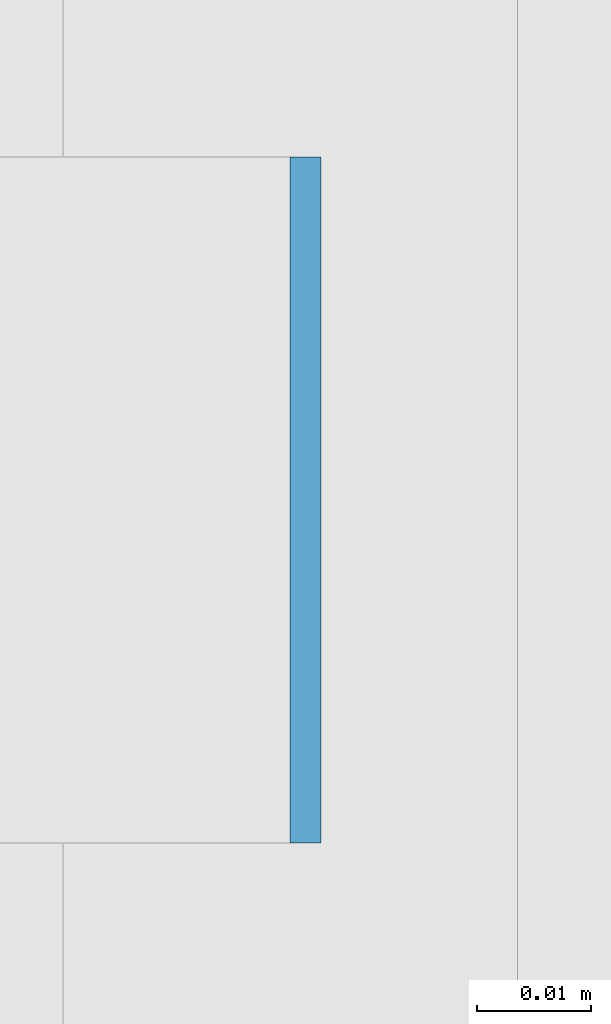
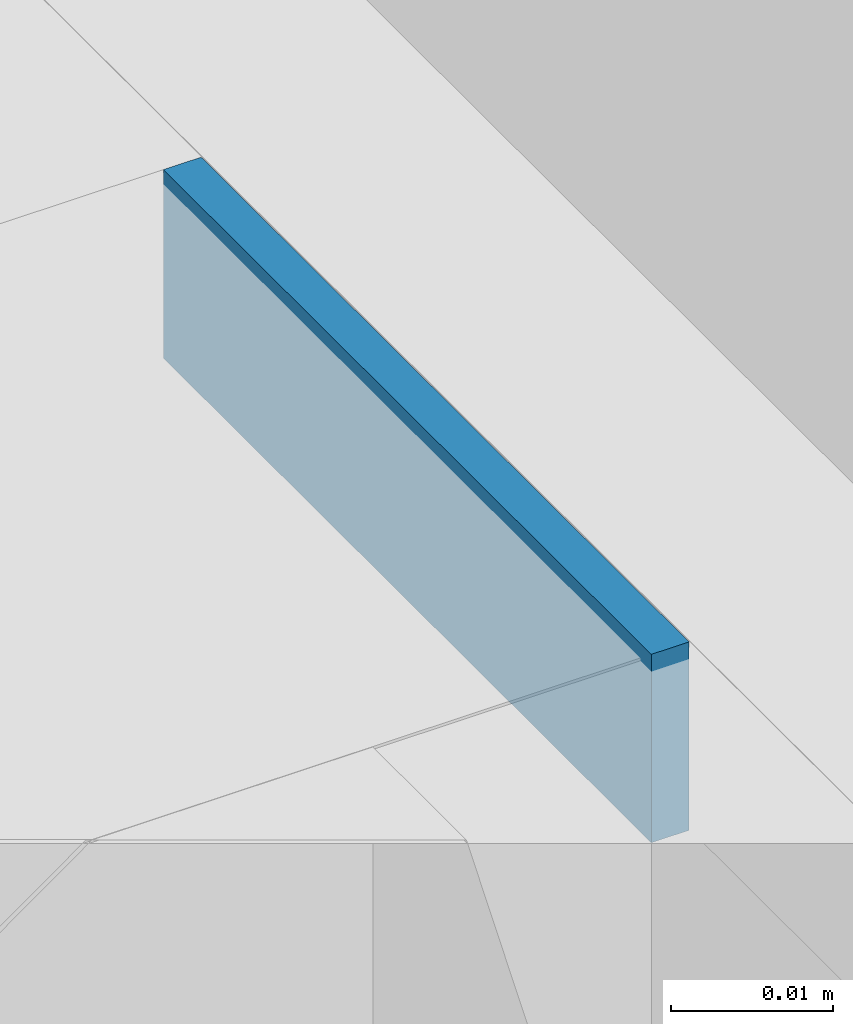
# One storey, part 245 of 646: 1 discrete accessory.
"""IFC4 building model written with IfcOpenShell, lengths in metres."""

from ifc_helpers import new_model, si_unit, direction, frame, origin, origin_2d, place, context, subcontext, project, spatial, rectangle, extrude, material, type_object, element, save


model = new_model("IFC4")

# Units and contexts
model_context = context("Model", 3, precision=1e-05, world=origin(), true_north=direction((0.0, 1.0)))
body_context = subcontext(model_context, "Body", "Model", "MODEL_VIEW")
ifc_project = project(units=[si_unit("LENGTHUNIT", "METRE"), si_unit("AREAUNIT", "SQUARE_METRE"), si_unit("VOLUMEUNIT", "CUBIC_METRE"), si_unit("PLANEANGLEUNIT", "RADIAN"), si_unit("MASSUNIT", "GRAM", prefix="KILO")], contexts=[model_context])

# Site, building, storey
site_placement = place(None, origin())
site = spatial("IfcSite", under=ifc_project, at=site_placement, CompositionType="ELEMENT")
building_placement = place(site_placement, origin())
building = spatial("IfcBuilding", under=site, at=building_placement, Name="Silverbay Arena", CompositionType="ELEMENT")
storey_placement = place(building_placement, frame((0.0, 0.0, 33.5)))
storey = spatial("IfcBuildingStorey", under=building, at=storey_placement, Name="L05", CompositionType="ELEMENT", Elevation=33.5)

# Discrete accessory
ifc_material = material(Name="Steel S355", Category="steel")
discrete_accessory_type = type_object("IfcDiscreteAccessoryType", Name="Steel bracket plate", PredefinedType="BRACKET", material=ifc_material)
discrete_accessory_placement = place(storey_placement, frame((53.871337890625, 31.699951171875, 12.98583984375), z_axis=(0.0, 0.0, 1.0), x_axis=(1.0, 0.0, 0.0)))
element("IfcDiscreteAccessory", 1, at=discrete_accessory_placement, inside=storey, type_object=discrete_accessory_type, Name="Curtain wall packing plate", PredefinedType="BRACKET", context=body_context, shape_type="SweptSolid", body=[
    extrude(rectangle(XDim=0.002685546875, YDim=0.06005859375, at=origin_2d()), origin(), (0.0, 0.0, 1.0), 0.01416015625),
])

save(model, "model.ifc")
